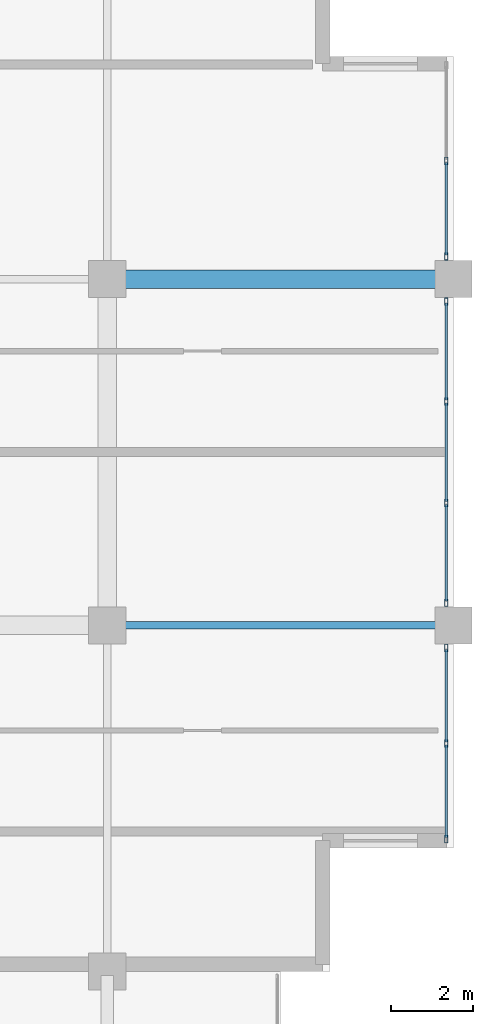
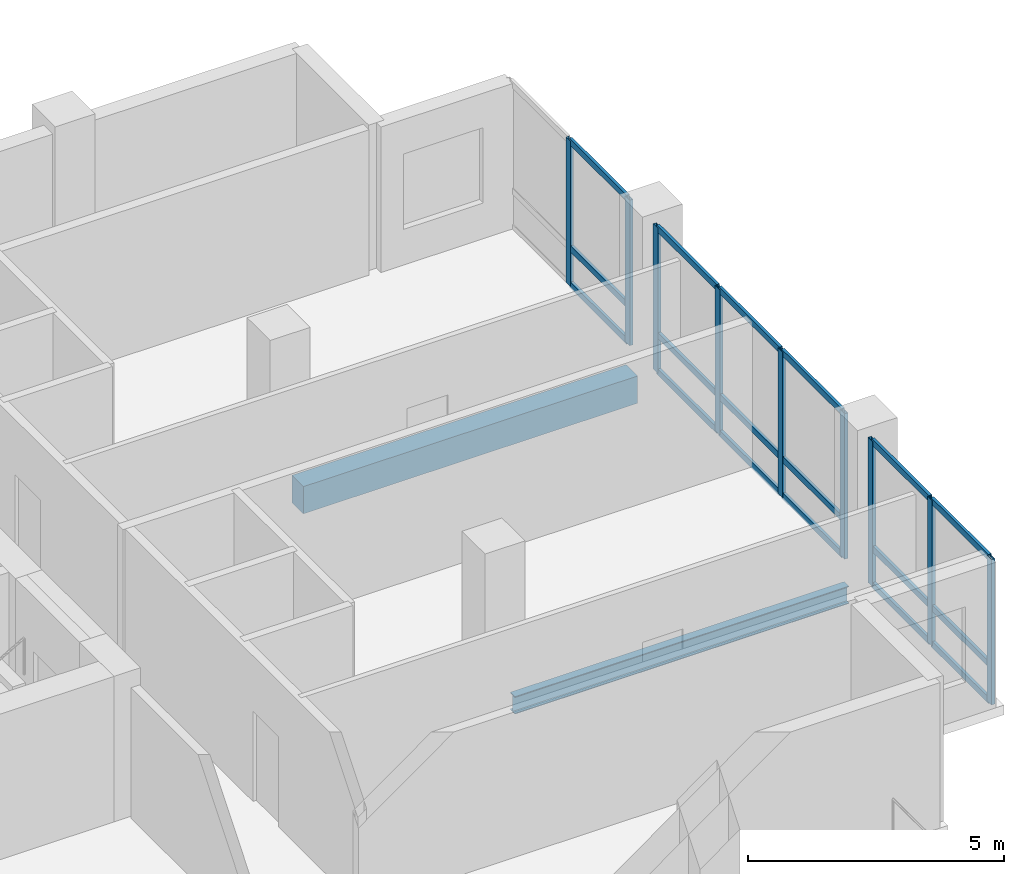
# One storey, part 3 of 16: 27 members, 2 beams, 3 elements without a shape of their own.
"""IFC4 building model written with IfcOpenShell, lengths in metres."""

from ifc_helpers import new_model, si_unit, direction, frame, origin, origin_2d, place, context, subcontext, project, spatial, rectangle, hollow_rectangle, i_section, extrude, material, layer, layer_set, material_profile, profile_set, type_object, element, aggregate, save


model = new_model("IFC4")

# Units and contexts
model_context = context("Model", 3, precision=1e-05, world=origin(), true_north=direction((0.0, 1.0)))
body_context = subcontext(model_context, "Body", "Model", "MODEL_VIEW")
ifc_project = project(units=[si_unit("LENGTHUNIT", "METRE"), si_unit("AREAUNIT", "SQUARE_METRE"), si_unit("VOLUMEUNIT", "CUBIC_METRE"), si_unit("PLANEANGLEUNIT", "RADIAN"), si_unit("MASSUNIT", "GRAM", prefix="KILO")], contexts=[model_context])

# Site, building, storey
site_placement = place(None, origin())
site = spatial("IfcSite", under=ifc_project, at=site_placement, CompositionType="ELEMENT")
building_placement = place(site_placement, origin())
building = spatial("IfcBuilding", under=site, at=building_placement, Name="Koriwani Terraces Tower", CompositionType="ELEMENT")
storey_placement = place(building_placement, frame((0.0, 0.0, 274.89990234375)))
storey = spatial("IfcBuildingStorey", under=building, at=storey_placement, Name="L68", CompositionType="ELEMENT", Elevation=274.89990234375)

# Beam
ifc_material_1 = material(Name="Concrete C50/60", Category="concrete")
ifc_material_profile_1 = material_profile(ifc_material_1, rectangle(XDim=0.449951171875, YDim=0.64990234375, at=origin_2d()), Name="Concrete C50/60", Category="LoadBearing")
ifc_profile_set_1 = profile_set([ifc_material_profile_1], Name="Concrete C50/60")
beam_type_1 = type_object("IfcBeamType", Name="BEAM_RC_GRID_450X650", PredefinedType="BEAM", material=ifc_profile_set_1)
beam_1_placement = place(storey_placement, frame((67.6298828125, 25.199951171875, -0.554931640625), z_axis=(1.0, 0.0, 0.0), x_axis=(0.0, 1.0, 0.0)))
element("IfcBeam", 1, at=beam_1_placement, inside=storey, type_object=beam_type_1, Name="L68 Grid Beam D (67.2-75.6m)", PredefinedType="BEAM", context=body_context, shape_type="SweptSolid", body=[
    extrude(rectangle(XDim=0.449951171875, YDim=0.64990234375, at=origin_2d()), origin(), (0.0, 0.0, 1.0), 7.5400390625),
])

# Curtain wall, members
ifc_material_2 = material(Name="Anodised Bronze Aluminium", Category="aluminium")
ifc_layer = layer(ifc_material_2, 0.169921875, Name="Anodised Bronze Aluminium")
ifc_layer_set = layer_set([ifc_layer], Name="Anodised Bronze Aluminium")
curtain_wall_type = type_object("IfcCurtainWallType", Name="CW_RES_ZONE4", PredefinedType="NOTDEFINED", material=ifc_layer_set)
curtain_wall_1_placement = place(storey_placement, origin())
curtain_wall_1 = element("IfcCurtainWall", 2, at=curtain_wall_1_placement, inside=storey, type_object=curtain_wall_type, Name="L68 Unitised Curtain Wall (E_TIP) Bay 1", PredefinedType="NOTDEFINED")
ifc_material_profile_2 = material_profile(ifc_material_2, hollow_rectangle(XDim=0.074951171875, YDim=0.179931640625, WallThickness=0.006103515625, at=origin_2d()), Name="Anodised Bronze Aluminium", Category="LoadBearing")
ifc_profile_set_2 = profile_set([ifc_material_profile_2], Name="Anodised Bronze Aluminium")
member_type_1 = type_object("IfcMemberType", Name="CW_MULLION_180X75", PredefinedType="MULLION", material=ifc_profile_set_2)
member_1_placement = place(storey_placement, frame((75.425048828125, 28.0673828125, 0.0), z_axis=(0.0, 0.0, 1.0), x_axis=(1.0, 0.0, 0.0)))
member_1 = element("IfcMember", 3, at=member_1_placement, type_object=member_type_1, Name="CW-Z4 mullion 2", PredefinedType="MULLION", context=body_context, shape_type="SweptSolid", body=[
    extrude(hollow_rectangle(XDim=0.074951171875, YDim=0.179931640625, WallThickness=0.006103515625, at=origin_2d()), origin(), (0.0, 0.0, 1.0), 3.47021484375),
])
member_2_placement = place(storey_placement, frame((75.425048828125, 25.74755859375, 0.0), z_axis=(0.0, 0.0, 1.0), x_axis=(1.0, 0.0, 0.0)))
member_2 = element("IfcMember", 4, at=member_2_placement, type_object=member_type_1, Name="CW-Z4 mullion 3", PredefinedType="MULLION", context=body_context, shape_type="SweptSolid", body=[
    extrude(hollow_rectangle(XDim=0.074951171875, YDim=0.179931640625, WallThickness=0.006103515625, at=origin_2d()), origin(), (0.0, 0.0, 1.0), 3.47021484375),
])

curtain_wall_2_placement = place(storey_placement, origin())
curtain_wall_2 = element("IfcCurtainWall", 5, at=curtain_wall_2_placement, inside=storey, type_object=curtain_wall_type, Name="L68 Unitised Curtain Wall (E_TIP) Bay 2", PredefinedType="NOTDEFINED")
member_3_placement = place(storey_placement, frame((75.425048828125, 24.652587890625, 0.0), z_axis=(0.0, 0.0, 1.0), x_axis=(1.0, 0.0, 0.0)))
member_3 = element("IfcMember", 6, at=member_3_placement, type_object=member_type_1, Name="CW-Z4 mullion 1", PredefinedType="MULLION", context=body_context, shape_type="SweptSolid", body=[
    extrude(hollow_rectangle(XDim=0.074951171875, YDim=0.179931640625, WallThickness=0.006103515625, at=origin_2d()), origin(), (0.0, 0.0, 1.0), 3.47021484375),
])
member_4_placement = place(storey_placement, frame((75.425048828125, 22.22998046875, 0.0), z_axis=(0.0, 0.0, 1.0), x_axis=(1.0, 0.0, 0.0)))
member_4 = element("IfcMember", 7, at=member_4_placement, type_object=member_type_1, Name="CW-Z4 mullion 2", PredefinedType="MULLION", context=body_context, shape_type="SweptSolid", body=[
    extrude(hollow_rectangle(XDim=0.074951171875, YDim=0.179931640625, WallThickness=0.006103515625, at=origin_2d()), origin(), (0.0, 0.0, 1.0), 3.47021484375),
])
member_5_placement = place(storey_placement, frame((75.425048828125, 19.77001953125, 0.0), z_axis=(0.0, 0.0, 1.0), x_axis=(1.0, 0.0, 0.0)))
member_5 = element("IfcMember", 8, at=member_5_placement, type_object=member_type_1, Name="CW-Z4 mullion 3", PredefinedType="MULLION", context=body_context, shape_type="SweptSolid", body=[
    extrude(hollow_rectangle(XDim=0.074951171875, YDim=0.179931640625, WallThickness=0.006103515625, at=origin_2d()), origin(), (0.0, 0.0, 1.0), 3.47021484375),
])
member_6_placement = place(storey_placement, frame((75.425048828125, 17.347412109375, 0.0), z_axis=(0.0, 0.0, 1.0), x_axis=(1.0, 0.0, 0.0)))
member_6 = element("IfcMember", 9, at=member_6_placement, type_object=member_type_1, Name="CW-Z4 mullion 4", PredefinedType="MULLION", context=body_context, shape_type="SweptSolid", body=[
    extrude(hollow_rectangle(XDim=0.074951171875, YDim=0.179931640625, WallThickness=0.006103515625, at=origin_2d()), origin(), (0.0, 0.0, 1.0), 3.47021484375),
])

curtain_wall_3_placement = place(storey_placement, origin())
curtain_wall_3 = element("IfcCurtainWall", 10, at=curtain_wall_3_placement, inside=storey, type_object=curtain_wall_type, Name="L68 Unitised Curtain Wall (E_TIP) Bay 3", PredefinedType="NOTDEFINED")
member_7_placement = place(storey_placement, frame((75.425048828125, 16.25244140625, 0.0), z_axis=(0.0, 0.0, 1.0), x_axis=(1.0, 0.0, 0.0)))
member_7 = element("IfcMember", 11, at=member_7_placement, type_object=member_type_1, Name="CW-Z4 mullion 1", PredefinedType="MULLION", context=body_context, shape_type="SweptSolid", body=[
    extrude(hollow_rectangle(XDim=0.074951171875, YDim=0.179931640625, WallThickness=0.006103515625, at=origin_2d()), origin(), (0.0, 0.0, 1.0), 3.47021484375),
])
member_8_placement = place(storey_placement, frame((75.425048828125, 13.9326171875, 0.0), z_axis=(0.0, 0.0, 1.0), x_axis=(1.0, 0.0, 0.0)))
member_8 = element("IfcMember", 12, at=member_8_placement, type_object=member_type_1, Name="CW-Z4 mullion 2", PredefinedType="MULLION", context=body_context, shape_type="SweptSolid", body=[
    extrude(hollow_rectangle(XDim=0.074951171875, YDim=0.179931640625, WallThickness=0.006103515625, at=origin_2d()), origin(), (0.0, 0.0, 1.0), 3.47021484375),
])
member_9_placement = place(storey_placement, frame((75.425048828125, 11.612548828125, 0.0), z_axis=(0.0, 0.0, 1.0), x_axis=(1.0, 0.0, 0.0)))
member_9 = element("IfcMember", 13, at=member_9_placement, type_object=member_type_1, Name="CW-Z4 mullion 3", PredefinedType="MULLION", context=body_context, shape_type="SweptSolid", body=[
    extrude(hollow_rectangle(XDim=0.074951171875, YDim=0.179931640625, WallThickness=0.006103515625, at=origin_2d()), origin(), (0.0, 0.0, 1.0), 3.47021484375),
])

# Member
ifc_material_profile_3 = material_profile(ifc_material_2, hollow_rectangle(XDim=0.06494140625, YDim=0.14990234375, WallThickness=0.0048828125, at=origin_2d()), Name="Anodised Bronze Aluminium", Category="LoadBearing")
ifc_profile_set_3 = profile_set([ifc_material_profile_3], Name="Anodised Bronze Aluminium")
member_type_2 = type_object("IfcMemberType", Name="CW_TRANSOM_150X65", PredefinedType="USERDEFINED", material=ifc_profile_set_3)
member_10_placement = place(storey_placement, frame((75.425048828125, 28.030029296875, 0.03271484375), z_axis=(0.0, -1.0, 0.0), x_axis=(1.0, 0.0, 0.0)))
member_10 = element("IfcMember", 14, at=member_10_placement, type_object=member_type_2, Name="CW-Z4 transom 2.1", ObjectType="TRANSOM", PredefinedType="USERDEFINED", context=body_context, shape_type="SweptSolid", body=[
    extrude(hollow_rectangle(XDim=0.06494140625, YDim=0.14990234375, WallThickness=0.0048828125, at=origin_2d()), origin(), (0.0, 0.0, 1.0), 2.2451171875),
])

member_11_placement = place(storey_placement, frame((75.425048828125, 28.030029296875, 0.900146484375), z_axis=(0.0, -1.0, 0.0), x_axis=(1.0, 0.0, 0.0)))
member_11 = element("IfcMember", 15, at=member_11_placement, type_object=member_type_2, Name="CW-Z4 transom 2.2", ObjectType="TRANSOM", PredefinedType="USERDEFINED", context=body_context, shape_type="SweptSolid", body=[
    extrude(hollow_rectangle(XDim=0.06494140625, YDim=0.14990234375, WallThickness=0.0048828125, at=origin_2d()), origin(), (0.0, 0.0, 1.0), 2.2451171875),
])

member_12_placement = place(storey_placement, frame((75.425048828125, 28.030029296875, 3.4375), z_axis=(0.0, -1.0, 0.0), x_axis=(1.0, 0.0, 0.0)))
member_12 = element("IfcMember", 16, at=member_12_placement, type_object=member_type_2, Name="CW-Z4 transom 2.3", ObjectType="TRANSOM", PredefinedType="USERDEFINED", context=body_context, shape_type="SweptSolid", body=[
    extrude(hollow_rectangle(XDim=0.06494140625, YDim=0.14990234375, WallThickness=0.0048828125, at=origin_2d()), origin(), (0.0, 0.0, 1.0), 2.2451171875),
])

aggregate(curtain_wall_1, [member_1, member_2, member_10, member_11, member_12])

member_13_placement = place(storey_placement, frame((75.425048828125, 24.614990234375, 0.03271484375), z_axis=(0.0, -1.0, 0.0), x_axis=(1.0, 0.0, 0.0)))
member_13 = element("IfcMember", 17, at=member_13_placement, type_object=member_type_2, Name="CW-Z4 transom 1.1", ObjectType="TRANSOM", PredefinedType="USERDEFINED", context=body_context, shape_type="SweptSolid", body=[
    extrude(hollow_rectangle(XDim=0.06494140625, YDim=0.14990234375, WallThickness=0.0048828125, at=origin_2d()), origin(), (0.0, 0.0, 1.0), 2.347412109375),
])

member_14_placement = place(storey_placement, frame((75.425048828125, 24.614990234375, 0.900146484375), z_axis=(0.0, -1.0, 0.0), x_axis=(1.0, 0.0, 0.0)))
member_14 = element("IfcMember", 18, at=member_14_placement, type_object=member_type_2, Name="CW-Z4 transom 1.2", ObjectType="TRANSOM", PredefinedType="USERDEFINED", context=body_context, shape_type="SweptSolid", body=[
    extrude(hollow_rectangle(XDim=0.06494140625, YDim=0.14990234375, WallThickness=0.0048828125, at=origin_2d()), origin(), (0.0, 0.0, 1.0), 2.347412109375),
])

member_15_placement = place(storey_placement, frame((75.425048828125, 24.614990234375, 3.4375), z_axis=(0.0, -1.0, 0.0), x_axis=(1.0, 0.0, 0.0)))
member_15 = element("IfcMember", 19, at=member_15_placement, type_object=member_type_2, Name="CW-Z4 transom 1.3", ObjectType="TRANSOM", PredefinedType="USERDEFINED", context=body_context, shape_type="SweptSolid", body=[
    extrude(hollow_rectangle(XDim=0.06494140625, YDim=0.14990234375, WallThickness=0.0048828125, at=origin_2d()), origin(), (0.0, 0.0, 1.0), 2.347412109375),
])

member_16_placement = place(storey_placement, frame((75.425048828125, 22.1923828125, 0.03271484375), z_axis=(0.0, -1.0, 0.0), x_axis=(1.0, 0.0, 0.0)))
member_16 = element("IfcMember", 20, at=member_16_placement, type_object=member_type_2, Name="CW-Z4 transom 2.1", ObjectType="TRANSOM", PredefinedType="USERDEFINED", context=body_context, shape_type="SweptSolid", body=[
    extrude(hollow_rectangle(XDim=0.06494140625, YDim=0.14990234375, WallThickness=0.0048828125, at=origin_2d()), origin(), (0.0, 0.0, 1.0), 2.384765625),
])

member_17_placement = place(storey_placement, frame((75.425048828125, 22.1923828125, 0.900146484375), z_axis=(0.0, -1.0, 0.0), x_axis=(1.0, 0.0, 0.0)))
member_17 = element("IfcMember", 21, at=member_17_placement, type_object=member_type_2, Name="CW-Z4 transom 2.2", ObjectType="TRANSOM", PredefinedType="USERDEFINED", context=body_context, shape_type="SweptSolid", body=[
    extrude(hollow_rectangle(XDim=0.06494140625, YDim=0.14990234375, WallThickness=0.0048828125, at=origin_2d()), origin(), (0.0, 0.0, 1.0), 2.384765625),
])

member_18_placement = place(storey_placement, frame((75.425048828125, 22.1923828125, 3.4375), z_axis=(0.0, -1.0, 0.0), x_axis=(1.0, 0.0, 0.0)))
member_18 = element("IfcMember", 22, at=member_18_placement, type_object=member_type_2, Name="CW-Z4 transom 2.3", ObjectType="TRANSOM", PredefinedType="USERDEFINED", context=body_context, shape_type="SweptSolid", body=[
    extrude(hollow_rectangle(XDim=0.06494140625, YDim=0.14990234375, WallThickness=0.0048828125, at=origin_2d()), origin(), (0.0, 0.0, 1.0), 2.384765625),
])

member_19_placement = place(storey_placement, frame((75.425048828125, 19.732421875, 0.03271484375), z_axis=(0.0, -1.0, 0.0), x_axis=(1.0, 0.0, 0.0)))
member_19 = element("IfcMember", 23, at=member_19_placement, type_object=member_type_2, Name="CW-Z4 transom 3.1", ObjectType="TRANSOM", PredefinedType="USERDEFINED", context=body_context, shape_type="SweptSolid", body=[
    extrude(hollow_rectangle(XDim=0.06494140625, YDim=0.14990234375, WallThickness=0.0048828125, at=origin_2d()), origin(), (0.0, 0.0, 1.0), 2.347412109375),
])

member_20_placement = place(storey_placement, frame((75.425048828125, 19.732421875, 0.900146484375), z_axis=(0.0, -1.0, 0.0), x_axis=(1.0, 0.0, 0.0)))
member_20 = element("IfcMember", 24, at=member_20_placement, type_object=member_type_2, Name="CW-Z4 transom 3.2", ObjectType="TRANSOM", PredefinedType="USERDEFINED", context=body_context, shape_type="SweptSolid", body=[
    extrude(hollow_rectangle(XDim=0.06494140625, YDim=0.14990234375, WallThickness=0.0048828125, at=origin_2d()), origin(), (0.0, 0.0, 1.0), 2.347412109375),
])

member_21_placement = place(storey_placement, frame((75.425048828125, 19.732421875, 3.4375), z_axis=(0.0, -1.0, 0.0), x_axis=(1.0, 0.0, 0.0)))
member_21 = element("IfcMember", 25, at=member_21_placement, type_object=member_type_2, Name="CW-Z4 transom 3.3", ObjectType="TRANSOM", PredefinedType="USERDEFINED", context=body_context, shape_type="SweptSolid", body=[
    extrude(hollow_rectangle(XDim=0.06494140625, YDim=0.14990234375, WallThickness=0.0048828125, at=origin_2d()), origin(), (0.0, 0.0, 1.0), 2.347412109375),
])

aggregate(curtain_wall_2, [member_3, member_4, member_5, member_6, member_13, member_14, member_15, member_16, member_17, member_18, member_19, member_20, member_21])

member_22_placement = place(storey_placement, frame((75.425048828125, 16.215087890625, 0.03271484375), z_axis=(0.0, -1.0, 0.0), x_axis=(1.0, 0.0, 0.0)))
member_22 = element("IfcMember", 26, at=member_22_placement, type_object=member_type_2, Name="CW-Z4 transom 1.1", ObjectType="TRANSOM", PredefinedType="USERDEFINED", context=body_context, shape_type="SweptSolid", body=[
    extrude(hollow_rectangle(XDim=0.06494140625, YDim=0.14990234375, WallThickness=0.0048828125, at=origin_2d()), origin(), (0.0, 0.0, 1.0), 2.2451171875),
])

member_23_placement = place(storey_placement, frame((75.425048828125, 16.215087890625, 0.900146484375), z_axis=(0.0, -1.0, 0.0), x_axis=(1.0, 0.0, 0.0)))
member_23 = element("IfcMember", 27, at=member_23_placement, type_object=member_type_2, Name="CW-Z4 transom 1.2", ObjectType="TRANSOM", PredefinedType="USERDEFINED", context=body_context, shape_type="SweptSolid", body=[
    extrude(hollow_rectangle(XDim=0.06494140625, YDim=0.14990234375, WallThickness=0.0048828125, at=origin_2d()), origin(), (0.0, 0.0, 1.0), 2.2451171875),
])

member_24_placement = place(storey_placement, frame((75.425048828125, 16.215087890625, 3.4375), z_axis=(0.0, -1.0, 0.0), x_axis=(1.0, 0.0, 0.0)))
member_24 = element("IfcMember", 28, at=member_24_placement, type_object=member_type_2, Name="CW-Z4 transom 1.3", ObjectType="TRANSOM", PredefinedType="USERDEFINED", context=body_context, shape_type="SweptSolid", body=[
    extrude(hollow_rectangle(XDim=0.06494140625, YDim=0.14990234375, WallThickness=0.0048828125, at=origin_2d()), origin(), (0.0, 0.0, 1.0), 2.2451171875),
])

member_25_placement = place(storey_placement, frame((75.425048828125, 13.89501953125, 0.03271484375), z_axis=(0.0, -1.0, 0.0), x_axis=(1.0, 0.0, 0.0)))
member_25 = element("IfcMember", 29, at=member_25_placement, type_object=member_type_2, Name="CW-Z4 transom 2.1", ObjectType="TRANSOM", PredefinedType="USERDEFINED", context=body_context, shape_type="SweptSolid", body=[
    extrude(hollow_rectangle(XDim=0.06494140625, YDim=0.14990234375, WallThickness=0.0048828125, at=origin_2d()), origin(), (0.0, 0.0, 1.0), 2.2451171875),
])

member_26_placement = place(storey_placement, frame((75.425048828125, 13.89501953125, 0.900146484375), z_axis=(0.0, -1.0, 0.0), x_axis=(1.0, 0.0, 0.0)))
member_26 = element("IfcMember", 30, at=member_26_placement, type_object=member_type_2, Name="CW-Z4 transom 2.2", ObjectType="TRANSOM", PredefinedType="USERDEFINED", context=body_context, shape_type="SweptSolid", body=[
    extrude(hollow_rectangle(XDim=0.06494140625, YDim=0.14990234375, WallThickness=0.0048828125, at=origin_2d()), origin(), (0.0, 0.0, 1.0), 2.2451171875),
])

member_27_placement = place(storey_placement, frame((75.425048828125, 13.89501953125, 3.4375), z_axis=(0.0, -1.0, 0.0), x_axis=(1.0, 0.0, 0.0)))
member_27 = element("IfcMember", 31, at=member_27_placement, type_object=member_type_2, Name="CW-Z4 transom 2.3", ObjectType="TRANSOM", PredefinedType="USERDEFINED", context=body_context, shape_type="SweptSolid", body=[
    extrude(hollow_rectangle(XDim=0.06494140625, YDim=0.14990234375, WallThickness=0.0048828125, at=origin_2d()), origin(), (0.0, 0.0, 1.0), 2.2451171875),
])

aggregate(curtain_wall_3, [member_7, member_8, member_9, member_22, member_23, member_24, member_25, member_26, member_27])

# Beam
ifc_material_3 = material(Name="Steel ASTM A572 Grade 50", Category="steel")
ifc_material_profile_4 = material_profile(ifc_material_3, i_section(OverallWidth=0.180908203125, OverallDepth=0.4169921875, WebThickness=0.010986328125, FlangeThickness=0.018310546875, at=origin_2d()), Name="Steel ASTM A572 Grade 50", Category="LoadBearing")
ifc_profile_set_4 = profile_set([ifc_material_profile_4], Name="Steel ASTM A572 Grade 50")
beam_type_2 = type_object("IfcBeamType", Name="STEEL_BEAM_W410X85", PredefinedType="JOIST", material=ifc_profile_set_4)
beam_2_placement = place(storey_placement, frame((67.6298828125, 16.800048828125, -0.4384765625), z_axis=(1.0, 0.0, 0.0), x_axis=(0.0, 1.0, 0.0)))
element("IfcBeam", 32, at=beam_2_placement, inside=storey, type_object=beam_type_2, Name="L68 Grid Beam C (67.2-75.6m)", PredefinedType="JOIST", context=body_context, shape_type="SweptSolid", body=[
    extrude(i_section(OverallWidth=0.180908203125, OverallDepth=0.4169921875, WebThickness=0.010986328125, FlangeThickness=0.018310546875, at=origin_2d()), origin(), (0.0, 0.0, 1.0), 7.5400390625),
])

save(model, "model.ifc")
